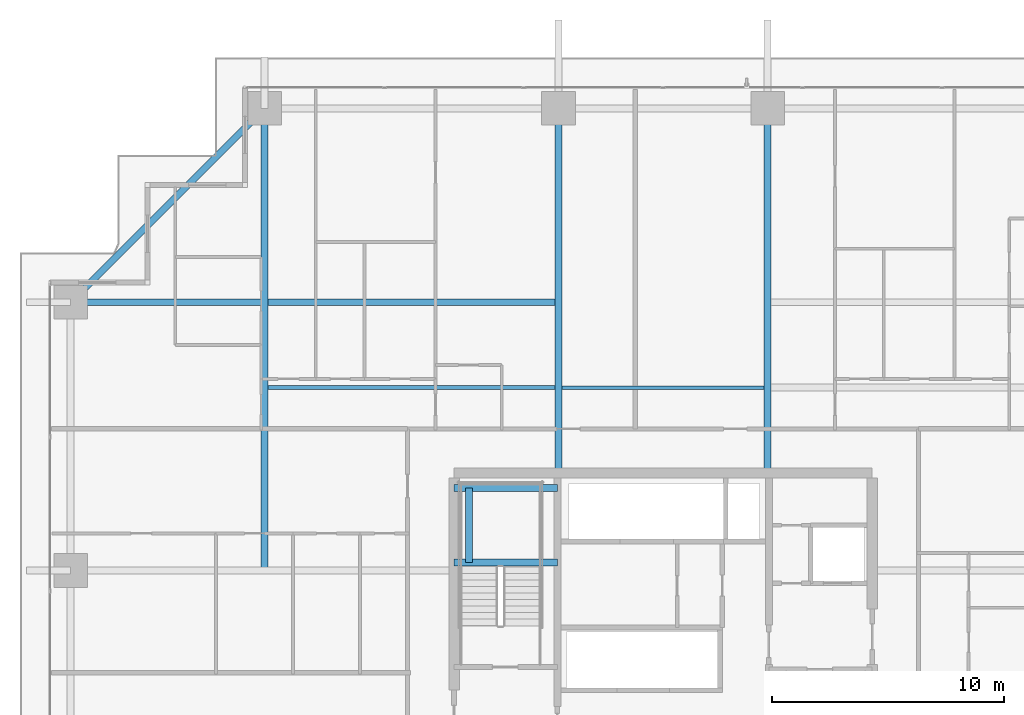
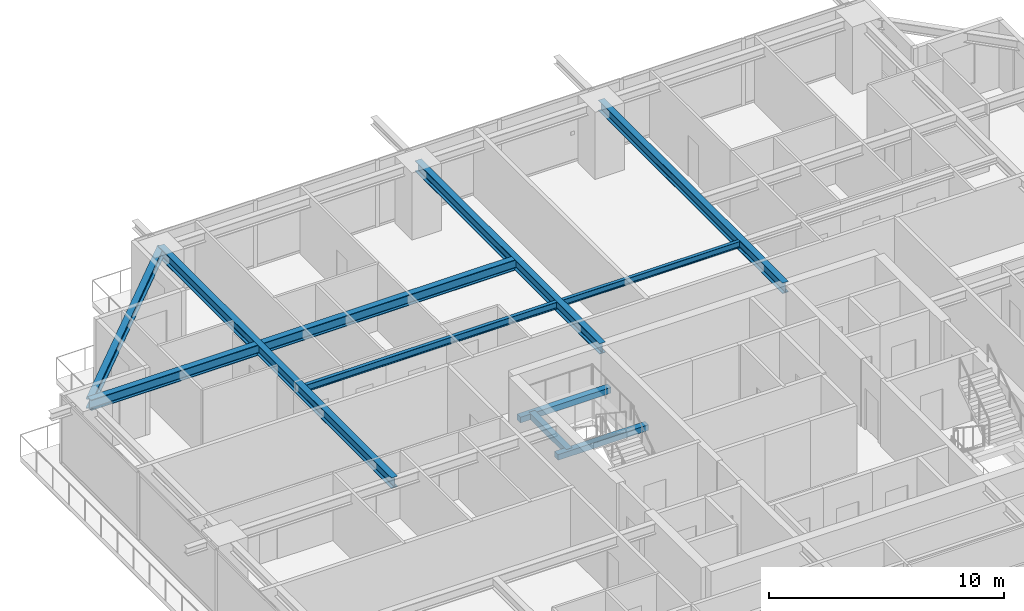
# One storey, part 19 of 39: 10 beams.
"""IFC4 building model written with IfcOpenShell, lengths in metres."""

from ifc_helpers import new_model, si_unit, direction, frame, origin, origin_2d, place, context, subcontext, project, spatial, rectangle, i_section, extrude, source, transform, mapped, material, material_profile, profile_set, type_object, element, save


model = new_model("IFC4")

# Units and contexts
model_context = context("Model", 3, precision=1e-05, world=origin(), true_north=direction((0.0, 1.0)))
body_context = subcontext(model_context, "Body", "Model", "MODEL_VIEW")
ifc_project = project(units=[si_unit("LENGTHUNIT", "METRE"), si_unit("AREAUNIT", "SQUARE_METRE"), si_unit("VOLUMEUNIT", "CUBIC_METRE"), si_unit("PLANEANGLEUNIT", "RADIAN"), si_unit("MASSUNIT", "GRAM", prefix="KILO")], contexts=[model_context])

# Site, building, storey
site_placement = place(None, origin())
site = spatial("IfcSite", under=ifc_project, at=site_placement, CompositionType="ELEMENT")
building_placement = place(site_placement, origin())
building = spatial("IfcBuilding", under=site, at=building_placement, Name="Serunith Strait Residences", CompositionType="ELEMENT")
storey_placement = place(building_placement, frame((0.0, 0.0, 64.199951171875)))
storey = spatial("IfcBuildingStorey", under=building, at=storey_placement, Name="L15", CompositionType="ELEMENT", Elevation=64.199951171875)

# Beams
ifc_material_1 = material(Name="Steel S355J2", Category="steel")
ifc_material_profile_1 = material_profile(ifc_material_1, i_section(OverallWidth=0.300048828125, OverallDepth=0.550048828125, WebThickness=0.014892578125, FlangeThickness=0.029052734375, FilletRadius=0.027099609375, at=origin_2d()), Name="HEB 550")
ifc_profile_set_1 = profile_set([ifc_material_profile_1], Name="Steel S355J2")
beam_type_1 = type_object("IfcBeamType", Name="BM-HEB550", PredefinedType="BEAM", material=ifc_profile_set_1)
shared_shape_1 = source(origin(), body_context, "Body", "SweptSolid", [
    extrude(i_section(OverallWidth=0.300048828125, OverallDepth=0.550048828125, WebThickness=0.014892578125, FlangeThickness=0.029052734375, FilletRadius=0.027099609375, at=origin_2d()), origin(), (0.0, 0.0, 1.0), 15.699951171875),
])
for number, where, z_axis, x_axis, name in (
    (1, (27.89990234375, 33.60009765625, 3.212158203125), (0.0, 1.0, 0.0), (-1.0, 0.0, 0.0), "L15 Primary Floor Girder TC-N2"),
    (2, (36.89990234375, 33.60009765625, 3.212158203125), (0.0, 1.0, 0.0), (-1.0, 0.0, 0.0), "L15 Primary Floor Girder TC-N3"),
):
    element("IfcBeam", number, at=place(storey_placement, frame(where, z_axis=z_axis, x_axis=x_axis)), inside=storey, type_object=beam_type_1, Name=name, PredefinedType="BEAM", context=body_context, shape_type="MappedRepresentation", body=[
        mapped(shared_shape_1, transform((0.0, 0.0, 0.0), scale=1.0)),
    ])
shared_shape_2 = source(origin(), body_context, "Body", "SweptSolid", [
    extrude(i_section(OverallWidth=0.300048828125, OverallDepth=0.550048828125, WebThickness=0.014892578125, FlangeThickness=0.029052734375, FilletRadius=0.027099609375, at=origin_2d()), origin(), (0.0, 0.0, 1.0), 19.900146484375),
])
beam_1_placement = place(storey_placement, frame((15.25, 29.39990234375, 3.212158203125), z_axis=(0.0, 1.0, 0.0), x_axis=(-1.0, 0.0, 0.0)))
element("IfcBeam", 3, at=beam_1_placement, inside=storey, type_object=beam_type_1, Name="L15 Orthogonal Corner Girder TC-N1", PredefinedType="BEAM", context=body_context, shape_type="MappedRepresentation", body=[
    mapped(shared_shape_2, transform((0.0, 0.0, 0.0), scale=1.0)),
])
shared_shape_3 = source(origin(), body_context, "Body", "SweptSolid", [
    extrude(i_section(OverallWidth=0.300048828125, OverallDepth=0.550048828125, WebThickness=0.014892578125, FlangeThickness=0.029052734375, FilletRadius=0.027099609375, at=origin_2d()), origin(), (0.0, 0.0, 1.0), 21.0),
])
beam_2_placement = place(storey_placement, frame((27.89990234375, 40.949951171875, 3.212158203125), z_axis=(-1.0, 0.0, 0.0), x_axis=(0.0, -1.0, 0.0)))
element("IfcBeam", 4, at=beam_2_placement, inside=storey, type_object=beam_type_1, Name="L15 Orthogonal Corner Girder TC-W4", PredefinedType="BEAM", context=body_context, shape_type="MappedRepresentation", body=[
    mapped(shared_shape_3, transform((0.0, 0.0, 0.0), scale=1.0)),
])
ifc_material_profile_2 = material_profile(ifc_material_1, i_section(OverallWidth=0.300048828125, OverallDepth=0.5, WebThickness=0.014404296875, FlangeThickness=0.028076171875, FilletRadius=0.027099609375, at=origin_2d()), Name="HEB 500")
ifc_profile_set_2 = profile_set([ifc_material_profile_2], Name="Steel S355J2")
beam_type_2 = type_object("IfcBeamType", Name="BM-HEB500", PredefinedType="BEAM", material=ifc_profile_set_2)
shared_shape_4 = source(origin(), body_context, "Body", "SweptSolid", [
    extrude(i_section(OverallWidth=0.300048828125, OverallDepth=0.5, WebThickness=0.014404296875, FlangeThickness=0.028076171875, FilletRadius=0.027099609375, at=origin_2d()), origin(), (0.0, 0.0, 1.0), 11.808837890625),
])
beam_3_placement = place(storey_placement, frame((15.25, 49.300048828125, 3.20703125), z_axis=(-0.707106781187, -0.707106781187, 0.0), x_axis=(0.707106781187, -0.707106781187, 0.0)))
element("IfcBeam", 5, at=beam_3_placement, inside=storey, type_object=beam_type_2, Name="L15 Perimeter Ring Beam 12", PredefinedType="BEAM", context=body_context, shape_type="MappedRepresentation", body=[
    mapped(shared_shape_4, transform((0.0, 0.0, 0.0), scale=1.0)),
])
ifc_material_profile_3 = material_profile(ifc_material_1, i_section(OverallWidth=0.169921875, OverallDepth=0.360107421875, WebThickness=0.008056640625, FlangeThickness=0.0126953125, FilletRadius=0.01806640625, at=origin_2d()), Name="IPE 360")
ifc_profile_set_3 = profile_set([ifc_material_profile_3], Name="Steel S355J2")
beam_type_3 = type_object("IfcBeamType", Name="BM-IPE360", PredefinedType="JOIST", material=ifc_profile_set_3)
shared_shape_5 = source(origin(), body_context, "Body", "SweptSolid", [
    extrude(i_section(OverallWidth=0.169921875, OverallDepth=0.360107421875, WebThickness=0.008056640625, FlangeThickness=0.0126953125, FilletRadius=0.01806640625, at=origin_2d()), origin(), (0.0, 0.0, 1.0), 12.35009765625),
])
beam_4_placement = place(storey_placement, frame((15.39990234375, 37.27490234375, 3.30712890625), z_axis=(1.0, 0.0, 0.0), x_axis=(0.0, 1.0, 0.0)))
element("IfcBeam", 6, at=beam_4_placement, inside=storey, type_object=beam_type_3, Name="L15 Composite Floor Joist 04", PredefinedType="JOIST", context=body_context, shape_type="MappedRepresentation", body=[
    mapped(shared_shape_5, transform((0.0, 0.0, 0.0), scale=1.0)),
])
ifc_material_profile_4 = material_profile(ifc_material_1, i_section(OverallWidth=0.159912109375, OverallDepth=0.330078125, WebThickness=0.007568359375, FlangeThickness=0.011474609375, FilletRadius=0.01806640625, at=origin_2d()), Name="IPE 330")
ifc_profile_set_4 = profile_set([ifc_material_profile_4], Name="Steel S355J2")
beam_type_4 = type_object("IfcBeamType", Name="BM-IPE330", PredefinedType="JOIST", material=ifc_profile_set_4)
shared_shape_6 = source(origin(), body_context, "Body", "SweptSolid", [
    extrude(i_section(OverallWidth=0.159912109375, OverallDepth=0.330078125, WebThickness=0.007568359375, FlangeThickness=0.011474609375, FilletRadius=0.01806640625, at=origin_2d()), origin(), (0.0, 0.0, 1.0), 8.699951171875),
])
beam_5_placement = place(storey_placement, frame((28.050048828125, 37.27490234375, 3.322021484375), z_axis=(1.0, 0.0, 0.0), x_axis=(0.0, 1.0, 0.0)))
element("IfcBeam", 7, at=beam_5_placement, inside=storey, type_object=beam_type_4, Name="L15 Composite Floor Joist 05", PredefinedType="JOIST", context=body_context, shape_type="MappedRepresentation", body=[
    mapped(shared_shape_6, transform((0.0, 0.0, 0.0), scale=1.0)),
])
ifc_material_2 = material(Name="Concrete C60/75", Category="concrete")
ifc_material_profile_5 = material_profile(ifc_material_2, rectangle(XDim=0.300048828125, YDim=0.300048828125, at=origin_2d()), Name="RC 300x300")
ifc_profile_set_5 = profile_set([ifc_material_profile_5], Name="Concrete C60/75")
beam_type_5 = type_object("IfcBeamType", Name="BM-LAND-300x300", PredefinedType="BEAM", material=ifc_profile_set_5)
shared_shape_7 = source(origin(), body_context, "Body", "SweptSolid", [
    extrude(rectangle(XDim=0.300048828125, YDim=0.300048828125, at=origin_2d()), origin(), (0.0, 0.0, 1.0), 4.4501953125),
])
for number, where, z_axis, x_axis, name in (
    (8, (23.39990234375, 29.75, 1.525146484375), (1.0, 0.0, 0.0), (0.0, 1.0, 0.0), "L15 ST-1 Landing Support Beam 1"),
    (9, (23.39990234375, 32.949951171875, 1.525146484375), (1.0, 0.0, 0.0), (0.0, 1.0, 0.0), "L15 ST-1 Landing Support Beam 2"),
):
    element("IfcBeam", number, at=place(storey_placement, frame(where, z_axis=z_axis, x_axis=x_axis)), inside=storey, type_object=beam_type_5, Name=name, PredefinedType="BEAM", context=body_context, shape_type="MappedRepresentation", body=[
        mapped(shared_shape_7, transform((0.0, 0.0, 0.0), scale=1.0)),
    ])
shared_shape_8 = source(origin(), body_context, "Body", "SweptSolid", [
    extrude(rectangle(XDim=0.300048828125, YDim=0.300048828125, at=origin_2d()), origin(), (0.0, 0.0, 1.0), 3.199951171875),
])
beam_6_placement = place(storey_placement, frame((24.050048828125, 29.75, 1.525146484375), z_axis=(0.0, 1.0, 0.0), x_axis=(-1.0, 0.0, 0.0)))
element("IfcBeam", 10, at=beam_6_placement, inside=storey, type_object=beam_type_5, Name="L15 ST-1 Landing Transverse Tie Beam", PredefinedType="BEAM", context=body_context, shape_type="MappedRepresentation", body=[
    mapped(shared_shape_8, transform((0.0, 0.0, 0.0), scale=1.0)),
])

save(model, "model.ifc")
